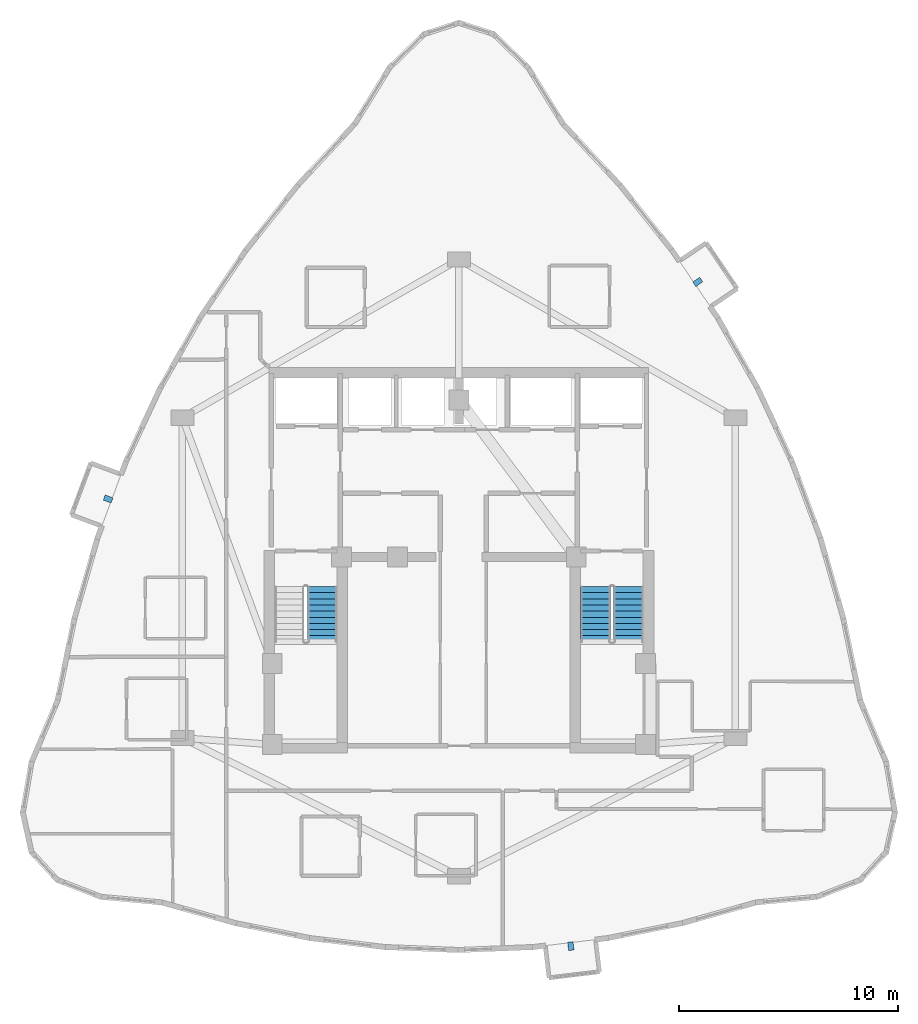
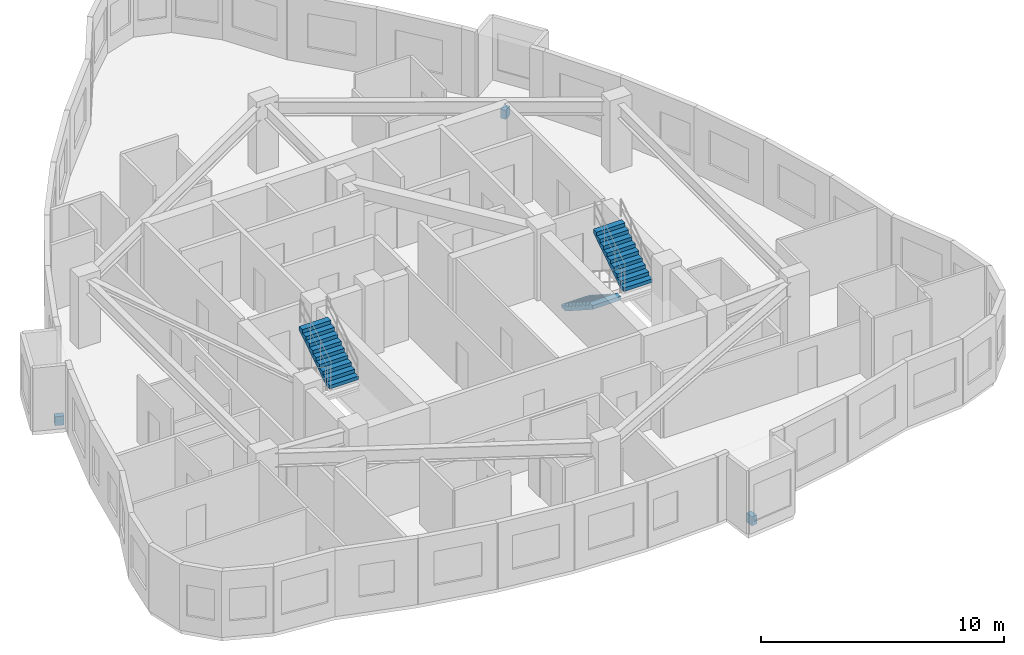
# One storey, part 11 of 12: 3 discrete accessories, 3 stair flights, 2 elements without a shape of their own.
"""IFC4 building model written with IfcOpenShell, lengths in metres."""

from ifc_helpers import new_model, si_unit, direction, frame, origin, origin_2d, place, context, subcontext, project, spatial, polyline, rectangle, outline, extrude, material, type_object, element, aggregate, save


model = new_model("IFC4")

# Units and contexts
model_context = context("Model", 3, precision=1e-05, world=origin(), true_north=direction((0.0, 1.0)))
body_context = subcontext(model_context, "Body", "Model", "MODEL_VIEW")
ifc_project = project(units=[si_unit("LENGTHUNIT", "METRE"), si_unit("AREAUNIT", "SQUARE_METRE"), si_unit("VOLUMEUNIT", "CUBIC_METRE"), si_unit("PLANEANGLEUNIT", "RADIAN"), si_unit("MASSUNIT", "GRAM", prefix="KILO")], contexts=[model_context])

# Site, building, storey
site_placement = place(None, origin())
site = spatial("IfcSite", under=ifc_project, at=site_placement, CompositionType="ELEMENT")
building_placement = place(site_placement, origin())
building = spatial("IfcBuilding", under=site, at=building_placement, Name="Miruveldt Soraemaru", CompositionType="ELEMENT")
storey_placement = place(building_placement, frame((0.0, 0.0, 248.39990234375)))
storey = spatial("IfcBuildingStorey", under=building, at=storey_placement, Name="L68", CompositionType="ELEMENT", Elevation=248.39990234375)

# Stair, stair flight
ifc_material_1 = material(Name="Concrete C40/50 (40 MPa)", Category="concrete")
stair_type = type_object("IfcStairType", Name="STAIR-DL-360", PredefinedType="HALF_TURN_STAIR", material=ifc_material_1)
stair_1_placement = place(storey_placement, origin())
stair_1 = element("IfcStair", 1, at=stair_1_placement, inside=storey, type_object=stair_type, Name="L68 Protected Exit Stair ST-1", PredefinedType="HALF_TURN_STAIR")
stair_flight_type = type_object("IfcStairFlightType", Name="SFL-DL-360", PredefinedType="STRAIGHT", material=ifc_material_1)
stair_flight_1_placement = place(storey_placement, frame((37.77490234375, 40.179931640625, 1.800048828125), z_axis=(0.0, 0.0, 1.0), x_axis=(0.0, 1.0, 0.0)))
stair_flight_1 = element("IfcStairFlight", 2, at=stair_flight_1_placement, type_object=stair_flight_type, Name="ST-1 flight 2", NumberOfRisers=10, NumberOfTreads=9, PredefinedType="STRAIGHT", RiserHeight=0.18, TreadLength=0.28, context=body_context, shape_type="SweptSolid", body=[
    extrude(outline(polyline([(0.0, 0.0), (0.0, 0.179931640625), (0.280029296875, 0.179931640625), (0.280029296875, 0.360107421875), (0.56005859375, 0.360107421875), (0.56005859375, 0.5400390625), (0.840087890625, 0.5400390625), (0.840087890625, 0.719970703125), (1.1201171875, 0.719970703125), (1.1201171875, 0.89990234375), (1.39990234375, 0.89990234375), (1.39990234375, 1.080078125), (1.679931640625, 1.080078125), (1.679931640625, 1.260009765625), (1.9599609375, 1.260009765625), (1.9599609375, 1.43994140625), (2.239990234375, 1.43994140625), (2.239990234375, 1.6201171875), (2.52001953125, 1.6201171875), (2.52001953125, 1.800048828125), (2.52001953125, 1.429931640625), (0.295654296875, 0.0), (0.0, 0.0)])), frame((0.0, 0.675048828125, 0.0), z_axis=(0.0, -1.0, 0.0), x_axis=(1.0, 0.0, 0.0)), (0.0, 0.0, 1.0), 1.35009765625),
])
aggregate(stair_1, [stair_flight_1])

# Stair, stair flights
stair_2_placement = place(storey_placement, origin())
stair_2 = element("IfcStair", 3, at=stair_2_placement, inside=storey, type_object=stair_type, Name="L68 Protected Exit Stair ST-2", PredefinedType="HALF_TURN_STAIR")
stair_flight_2_placement = place(storey_placement, frame((50.22509765625, 42.699951171875, 0.0), z_axis=(0.0, 0.0, 1.0), x_axis=(0.0, -1.0, 0.0)))
stair_flight_2 = element("IfcStairFlight", 4, at=stair_flight_2_placement, type_object=stair_flight_type, Name="ST-2 flight 1", NumberOfRisers=10, NumberOfTreads=9, PredefinedType="STRAIGHT", RiserHeight=0.18, TreadLength=0.28, context=body_context, shape_type="SweptSolid", body=[
    extrude(outline(polyline([(0.0, 0.0), (0.0, 0.179931640625), (0.280029296875, 0.179931640625), (0.280029296875, 0.360107421875), (0.56005859375, 0.360107421875), (0.56005859375, 0.5400390625), (0.840087890625, 0.5400390625), (0.840087890625, 0.719970703125), (1.1201171875, 0.719970703125), (1.1201171875, 0.89990234375), (1.39990234375, 0.89990234375), (1.39990234375, 1.080078125), (1.679931640625, 1.080078125), (1.679931640625, 1.260009765625), (1.9599609375, 1.260009765625), (1.9599609375, 1.43994140625), (2.239990234375, 1.43994140625), (2.239990234375, 1.6201171875), (2.52001953125, 1.6201171875), (2.52001953125, 1.800048828125), (2.52001953125, 1.429931640625), (0.295654296875, 0.0), (0.0, 0.0)])), frame((0.0, 0.675048828125, 0.0), z_axis=(0.0, -1.0, 0.0), x_axis=(1.0, 0.0, 0.0)), (0.0, 0.0, 1.0), 1.35009765625),
])
stair_flight_3_placement = place(storey_placement, frame((51.72509765625, 40.179931640625, 1.800048828125), z_axis=(0.0, 0.0, 1.0), x_axis=(0.0, 1.0, 0.0)))
stair_flight_3 = element("IfcStairFlight", 5, at=stair_flight_3_placement, type_object=stair_flight_type, Name="ST-2 flight 2", NumberOfRisers=10, NumberOfTreads=9, PredefinedType="STRAIGHT", RiserHeight=0.18, TreadLength=0.28, context=body_context, shape_type="SweptSolid", body=[
    extrude(outline(polyline([(0.0, 0.0), (0.0, 0.179931640625), (0.280029296875, 0.179931640625), (0.280029296875, 0.360107421875), (0.56005859375, 0.360107421875), (0.56005859375, 0.5400390625), (0.840087890625, 0.5400390625), (0.840087890625, 0.719970703125), (1.1201171875, 0.719970703125), (1.1201171875, 0.89990234375), (1.39990234375, 0.89990234375), (1.39990234375, 1.080078125), (1.679931640625, 1.080078125), (1.679931640625, 1.260009765625), (1.9599609375, 1.260009765625), (1.9599609375, 1.43994140625), (2.239990234375, 1.43994140625), (2.239990234375, 1.6201171875), (2.52001953125, 1.6201171875), (2.52001953125, 1.800048828125), (2.52001953125, 1.429931640625), (0.295654296875, 0.0), (0.0, 0.0)])), frame((0.0, 0.675048828125, 0.0), z_axis=(0.0, -1.0, 0.0), x_axis=(1.0, 0.0, 0.0)), (0.0, 0.0, 1.0), 1.35009765625),
])
aggregate(stair_2, [stair_flight_2, stair_flight_3])

# Discrete accessories
ifc_material_2 = material(Name="Steel SM355 (355 MPa)", Category="steel")
discrete_accessory_type = type_object("IfcDiscreteAccessoryType", Name="ACC-BAY-BRK", PredefinedType="BRACKET", material=ifc_material_2)
for number, where, z_axis, x_axis, name in (
    (6, (49.100341796875, 26.31591796875, -0.69970703125), (0.0, 0.0, 1.0), (0.119149147143, -0.992876367296, 0.0), "L68 Bay Window Cantilever Bracket 1"),
    (7, (54.88427734375, 56.580810546875, -0.69970703125), (0.0, 0.0, 1.0), (0.827933108356, 0.560826861061, 0.0), "L68 Bay Window Cantilever Bracket 2"),
    (8, (28.01708984375, 46.68994140625, -0.69970703125), (0.0, 0.0, 1.0), (-0.93711153314, 0.349030048069, 0.0), "L68 Bay Window Cantilever Bracket 3"),
):
    element("IfcDiscreteAccessory", number, at=place(storey_placement, frame(where, z_axis=z_axis, x_axis=x_axis)), inside=storey, type_object=discrete_accessory_type, Name=name, PredefinedType="BRACKET", context=body_context, shape_type="SweptSolid", body=[
        extrude(rectangle(XDim=0.3798828125, YDim=0.25, at=origin_2d()), origin(), (0.0, 0.0, 1.0), 0.449951171875),
    ])

save(model, "model.ifc")
